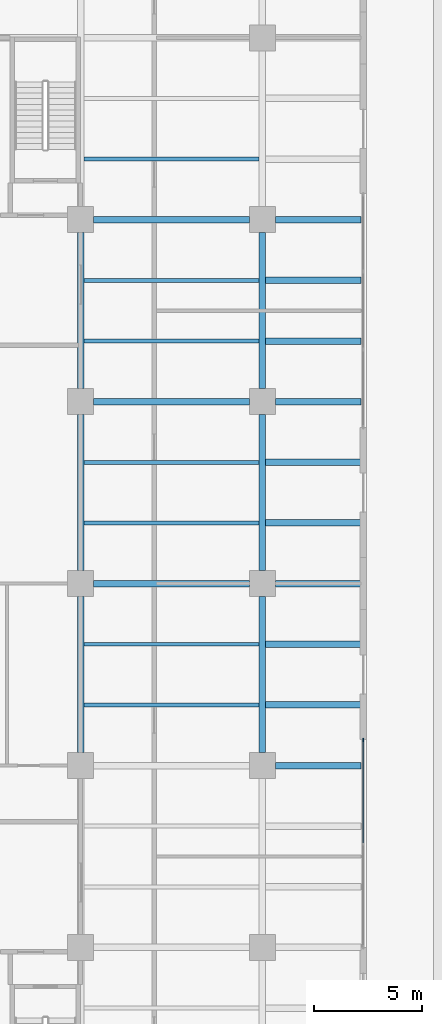
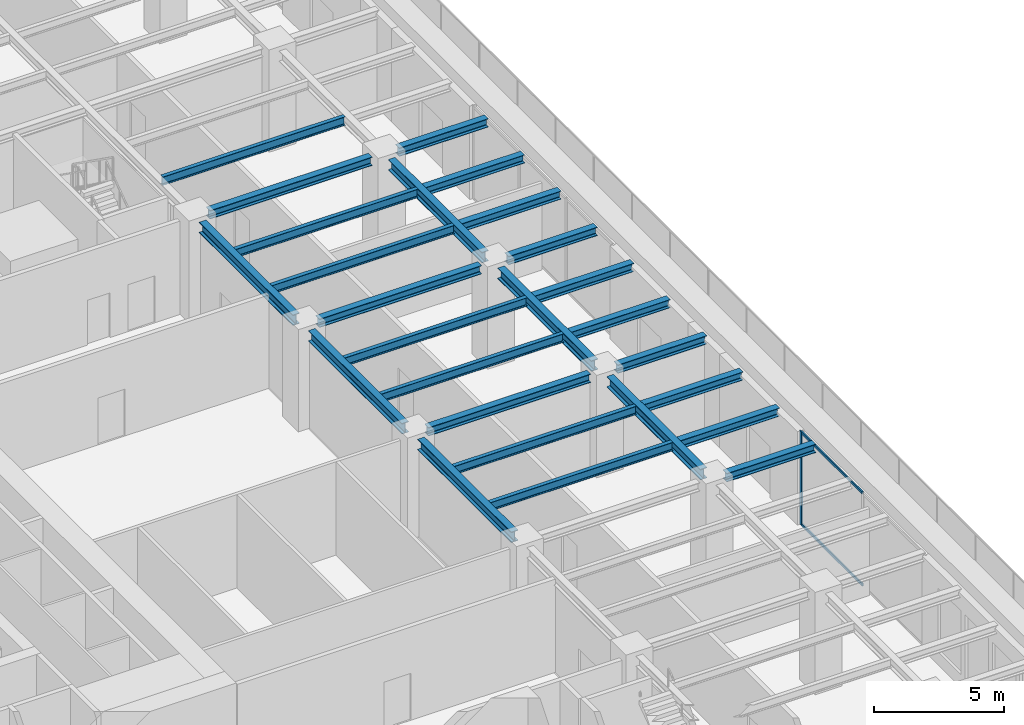
# One storey, part 8 of 32: 26 beams, 3 members, 1 element without a shape of its own.
"""IFC4 building model written with IfcOpenShell, lengths in metres."""

from ifc_helpers import new_model, si_unit, direction, frame, origin, origin_2d, place, context, subcontext, project, spatial, rectangle, i_section, extrude, material, material_profile, profile_set, type_object, element, aggregate, save


model = new_model("IFC4")

# Units and contexts
model_context = context("Model", 3, precision=1e-05, world=origin(), true_north=direction((0.0, 1.0)))
body_context = subcontext(model_context, "Body", "Model", "MODEL_VIEW")
ifc_project = project(units=[si_unit("LENGTHUNIT", "METRE"), si_unit("AREAUNIT", "SQUARE_METRE"), si_unit("VOLUMEUNIT", "CUBIC_METRE"), si_unit("PLANEANGLEUNIT", "RADIAN"), si_unit("MASSUNIT", "GRAM", prefix="KILO")], contexts=[model_context])

# Site, building, storey
site_placement = place(None, origin())
site = spatial("IfcSite", under=ifc_project, at=site_placement, CompositionType="ELEMENT")
building_placement = place(site_placement, origin())
building = spatial("IfcBuilding", under=site, at=building_placement, Name="Khepri Terraces", CompositionType="ELEMENT")
storey_placement = place(building_placement, frame((0.0, 0.0, 12.0)))
storey = spatial("IfcBuildingStorey", under=building, at=storey_placement, Name="L02", CompositionType="ELEMENT", Elevation=12.0)

# Curtain wall, members
ifc_material_1 = material(Name="Anodised aluminium bronze curtain wall", Category="aluminium")
curtain_wall_type = type_object("IfcCurtainWallType", Name="CW-SYS2-PODIUM", PredefinedType="NOTDEFINED", material=ifc_material_1)
curtain_wall_placement = place(storey_placement, origin())
curtain_wall = element("IfcCurtainWall", 1, at=curtain_wall_placement, inside=storey, type_object=curtain_wall_type, Name="Curtain wall CW2 L02 E", PredefinedType="NOTDEFINED")
ifc_material_2 = material(Name="Anodised aluminium bronze", Category="aluminium")
ifc_material_profile_1 = material_profile(ifc_material_2, rectangle(XDim=0.06005859375, YDim=0.159912109375, at=origin_2d()), Name="Anodised aluminium bronze", Category="aluminium")
ifc_profile_set_1 = profile_set([ifc_material_profile_1], Name="Anodised aluminium bronze")
member_type_1 = type_object("IfcMemberType", Name="CW-MULLION-60x160", PredefinedType="MULLION", material=ifc_profile_set_1)
member_1_placement = place(storey_placement, frame((38.25, -7.22998046875, 0.0), z_axis=(0.0, 0.0, 1.0), x_axis=(-1.0, 0.0, 0.0)))
member_1 = element("IfcMember", 2, at=member_1_placement, type_object=member_type_1, Name="CW2 mullion 3", PredefinedType="MULLION", context=body_context, shape_type="SweptSolid", body=[
    extrude(rectangle(XDim=0.06005859375, YDim=0.159912109375, at=origin_2d()), origin(), (0.0, 0.0, 1.0), 4.3798828125),
])
ifc_material_profile_2 = material_profile(ifc_material_2, rectangle(XDim=0.06005859375, YDim=0.1201171875, at=origin_2d()), Name="Anodised aluminium bronze", Category="aluminium")
ifc_profile_set_2 = profile_set([ifc_material_profile_2], Name="Anodised aluminium bronze")
member_type_2 = type_object("IfcMemberType", Name="CW-TRANSOM-60x120", PredefinedType="USERDEFINED", material=ifc_profile_set_2)
member_2_placement = place(storey_placement, frame((38.25, -11.969970703125, 0.030029296875), z_axis=(0.0, 1.0, 0.0), x_axis=(-1.0, 0.0, 0.0)))
member_2 = element("IfcMember", 3, at=member_2_placement, type_object=member_type_2, Name="CW2 transom 2.1", ObjectType="TRANSOM", PredefinedType="USERDEFINED", context=body_context, shape_type="SweptSolid", body=[
    extrude(rectangle(XDim=0.06005859375, YDim=0.1201171875, at=origin_2d()), origin(), (0.0, 0.0, 1.0), 4.7099609375),
])
member_3_placement = place(storey_placement, frame((38.25, -11.969970703125, 4.35009765625), z_axis=(0.0, 1.0, 0.0), x_axis=(-1.0, 0.0, 0.0)))
member_3 = element("IfcMember", 4, at=member_3_placement, type_object=member_type_2, Name="CW2 transom 2.2", ObjectType="TRANSOM", PredefinedType="USERDEFINED", context=body_context, shape_type="SweptSolid", body=[
    extrude(rectangle(XDim=0.06005859375, YDim=0.1201171875, at=origin_2d()), origin(), (0.0, 0.0, 1.0), 4.7099609375),
])
aggregate(curtain_wall, [member_1, member_2, member_3])

# Beams
ifc_material_3 = material(Name="Steel S355", Category="steel")
ifc_material_profile_3 = material_profile(ifc_material_3, i_section(OverallWidth=0.300048828125, OverallDepth=0.389892578125, WebThickness=0.010986328125, FlangeThickness=0.01904296875, FilletRadius=0.027099609375, at=origin_2d()), Name="Steel S355", Category="steel")
ifc_profile_set_3 = profile_set([ifc_material_profile_3], Name="Steel S355")
beam_type_1 = type_object("IfcBeamType", Name="Podium cantilever joist L03 HEA 400", PredefinedType="JOIST", material=ifc_profile_set_3)
for number, where, z_axis, x_axis, name in (
    (5, (33.75, -5.60009765625, 4.405029296875), (1.0, 0.0, 0.0), (0.0, 1.0, 0.0), "Podium cantilever joist L03 076"),
    (6, (33.75, -2.800048828125, 4.405029296875), (1.0, 0.0, 0.0), (0.0, 1.0, 0.0), "Podium cantilever joist L03 080"),
    (7, (33.75, 2.800048828125, 4.405029296875), (1.0, 0.0, 0.0), (0.0, 1.0, 0.0), "Podium cantilever joist L03 088"),
    (8, (33.75, 5.60009765625, 4.405029296875), (1.0, 0.0, 0.0), (0.0, 1.0, 0.0), "Podium cantilever joist L03 092"),
    (9, (33.75, 11.199951171875, 4.405029296875), (1.0, 0.0, 0.0), (0.0, 1.0, 0.0), "Podium cantilever joist L03 100"),
    (10, (33.75, 14.0, 4.405029296875), (1.0, 0.0, 0.0), (0.0, 1.0, 0.0), "Podium cantilever joist L03 104"),
):
    element("IfcBeam", number, at=place(storey_placement, frame(where, z_axis=z_axis, x_axis=x_axis)), inside=storey, type_object=beam_type_1, Name=name, PredefinedType="JOIST", context=body_context, shape_type="SweptSolid", body=[
        extrude(i_section(OverallWidth=0.300048828125, OverallDepth=0.389892578125, WebThickness=0.010986328125, FlangeThickness=0.01904296875, FilletRadius=0.027099609375, at=origin_2d()), origin(), (0.0, 0.0, 1.0), 4.39990234375),
    ])
ifc_material_profile_4 = material_profile(ifc_material_3, i_section(OverallWidth=0.300048828125, OverallDepth=0.5, WebThickness=0.014404296875, FlangeThickness=0.028076171875, FilletRadius=0.027099609375, at=origin_2d()), Name="Steel S355", Category="steel")
ifc_profile_set_4 = profile_set([ifc_material_profile_4], Name="Steel S355")
beam_type_2 = type_object("IfcBeamType", Name="Podium girder L03 HEB 500", PredefinedType="BEAM", material=ifc_profile_set_4)
for number, where, z_axis, x_axis, name in (
    (11, (33.60009765625, -7.800048828125, 4.35009765625), (0.0, 1.0, 0.0), (-1.0, 0.0, 0.0), "Podium girder L03 051"),
    (12, (33.60009765625, 0.60009765625, 4.35009765625), (0.0, 1.0, 0.0), (-1.0, 0.0, 0.0), "Podium girder L03 052"),
    (13, (33.60009765625, 9.0, 4.35009765625), (0.0, 1.0, 0.0), (-1.0, 0.0, 0.0), "Podium girder L03 053"),
):
    element("IfcBeam", number, at=place(storey_placement, frame(where, z_axis=z_axis, x_axis=x_axis)), inside=storey, type_object=beam_type_2, Name=name, PredefinedType="BEAM", context=body_context, shape_type="SweptSolid", body=[
        extrude(i_section(OverallWidth=0.300048828125, OverallDepth=0.5, WebThickness=0.014404296875, FlangeThickness=0.028076171875, FilletRadius=0.027099609375, at=origin_2d()), origin(), (0.0, 0.0, 1.0), 7.199951171875),
    ])
ifc_material_profile_5 = material_profile(ifc_material_3, i_section(OverallWidth=0.300048828125, OverallDepth=0.39990234375, WebThickness=0.013427734375, FlangeThickness=0.02392578125, FilletRadius=0.027099609375, at=origin_2d()), Name="Steel S355", Category="steel")
ifc_profile_set_5 = profile_set([ifc_material_profile_5], Name="Steel S355")
beam_type_3 = type_object("IfcBeamType", Name="Podium girder L03 grid line HEB 400", PredefinedType="BEAM", material=ifc_profile_set_5)
beam_1_placement = place(storey_placement, frame((34.199951171875, -8.39990234375, 4.39990234375), z_axis=(1.0, 0.0, 0.0), x_axis=(0.0, 1.0, 0.0)))
element("IfcBeam", 14, at=beam_1_placement, inside=storey, type_object=beam_type_3, Name="Podium grid-line girder L03 072", PredefinedType="BEAM", context=body_context, shape_type="SweptSolid", body=[
    extrude(i_section(OverallWidth=0.300048828125, OverallDepth=0.39990234375, WebThickness=0.013427734375, FlangeThickness=0.02392578125, FilletRadius=0.027099609375, at=origin_2d()), origin(), (0.0, 0.0, 1.0), 3.949951171875),
])
beam_2_placement = place(storey_placement, frame((25.800048828125, 0.0, 4.39990234375), z_axis=(1.0, 0.0, 0.0), x_axis=(0.0, 1.0, 0.0)))
element("IfcBeam", 15, at=beam_2_placement, inside=storey, type_object=beam_type_3, Name="Podium grid-line girder L03 083", PredefinedType="BEAM", context=body_context, shape_type="SweptSolid", body=[
    extrude(i_section(OverallWidth=0.300048828125, OverallDepth=0.39990234375, WebThickness=0.013427734375, FlangeThickness=0.02392578125, FilletRadius=0.027099609375, at=origin_2d()), origin(), (0.0, 0.0, 1.0), 7.199951171875),
])
beam_3_placement = place(storey_placement, frame((34.199951171875, 0.0, 4.39990234375), z_axis=(1.0, 0.0, 0.0), x_axis=(0.0, 1.0, 0.0)))
element("IfcBeam", 16, at=beam_3_placement, inside=storey, type_object=beam_type_3, Name="Podium grid-line girder L03 084", PredefinedType="BEAM", context=body_context, shape_type="SweptSolid", body=[
    extrude(i_section(OverallWidth=0.300048828125, OverallDepth=0.39990234375, WebThickness=0.013427734375, FlangeThickness=0.02392578125, FilletRadius=0.027099609375, at=origin_2d()), origin(), (0.0, 0.0, 1.0), 3.949951171875),
])
beam_4_placement = place(storey_placement, frame((25.800048828125, 8.39990234375, 4.39990234375), z_axis=(1.0, 0.0, 0.0), x_axis=(0.0, 1.0, 0.0)))
element("IfcBeam", 17, at=beam_4_placement, inside=storey, type_object=beam_type_3, Name="Podium grid-line girder L03 095", PredefinedType="BEAM", context=body_context, shape_type="SweptSolid", body=[
    extrude(i_section(OverallWidth=0.300048828125, OverallDepth=0.39990234375, WebThickness=0.013427734375, FlangeThickness=0.02392578125, FilletRadius=0.027099609375, at=origin_2d()), origin(), (0.0, 0.0, 1.0), 7.199951171875),
])
beam_5_placement = place(storey_placement, frame((34.199951171875, 8.39990234375, 4.39990234375), z_axis=(1.0, 0.0, 0.0), x_axis=(0.0, 1.0, 0.0)))
element("IfcBeam", 18, at=beam_5_placement, inside=storey, type_object=beam_type_3, Name="Podium grid-line girder L03 096", PredefinedType="BEAM", context=body_context, shape_type="SweptSolid", body=[
    extrude(i_section(OverallWidth=0.300048828125, OverallDepth=0.39990234375, WebThickness=0.013427734375, FlangeThickness=0.02392578125, FilletRadius=0.027099609375, at=origin_2d()), origin(), (0.0, 0.0, 1.0), 3.949951171875),
])
beam_6_placement = place(storey_placement, frame((25.800048828125, 16.800048828125, 4.39990234375), z_axis=(1.0, 0.0, 0.0), x_axis=(0.0, 1.0, 0.0)))
element("IfcBeam", 19, at=beam_6_placement, inside=storey, type_object=beam_type_3, Name="Podium grid-line girder L03 107", PredefinedType="BEAM", context=body_context, shape_type="SweptSolid", body=[
    extrude(i_section(OverallWidth=0.300048828125, OverallDepth=0.39990234375, WebThickness=0.013427734375, FlangeThickness=0.02392578125, FilletRadius=0.027099609375, at=origin_2d()), origin(), (0.0, 0.0, 1.0), 7.199951171875),
])
beam_7_placement = place(storey_placement, frame((34.199951171875, 16.800048828125, 4.39990234375), z_axis=(1.0, 0.0, 0.0), x_axis=(0.0, 1.0, 0.0)))
element("IfcBeam", 20, at=beam_7_placement, inside=storey, type_object=beam_type_3, Name="Podium grid-line girder L03 108", PredefinedType="BEAM", context=body_context, shape_type="SweptSolid", body=[
    extrude(i_section(OverallWidth=0.300048828125, OverallDepth=0.39990234375, WebThickness=0.013427734375, FlangeThickness=0.02392578125, FilletRadius=0.027099609375, at=origin_2d()), origin(), (0.0, 0.0, 1.0), 3.949951171875),
])
ifc_material_profile_6 = material_profile(ifc_material_3, i_section(OverallWidth=0.179931640625, OverallDepth=0.39990234375, WebThickness=0.008544921875, FlangeThickness=0.013427734375, FilletRadius=0.02099609375, at=origin_2d()), Name="Steel S355", Category="steel")
ifc_profile_set_6 = profile_set([ifc_material_profile_6], Name="Steel S355")
beam_type_4 = type_object("IfcBeamType", Name="Podium joist L03 IPE 400", PredefinedType="JOIST", material=ifc_profile_set_6)
for number, where, z_axis, x_axis, name in (
    (21, (25.35009765625, -5.60009765625, 4.39990234375), (1.0, 0.0, 0.0), (0.0, 1.0, 0.0), "Podium joist L03 075"),
    (22, (25.35009765625, -2.800048828125, 4.39990234375), (1.0, 0.0, 0.0), (0.0, 1.0, 0.0), "Podium joist L03 079"),
    (23, (25.35009765625, 2.800048828125, 4.39990234375), (1.0, 0.0, 0.0), (0.0, 1.0, 0.0), "Podium joist L03 087"),
    (24, (25.35009765625, 5.60009765625, 4.39990234375), (1.0, 0.0, 0.0), (0.0, 1.0, 0.0), "Podium joist L03 091"),
    (25, (25.35009765625, 11.199951171875, 4.39990234375), (1.0, 0.0, 0.0), (0.0, 1.0, 0.0), "Podium joist L03 099"),
    (26, (25.35009765625, 14.0, 4.39990234375), (1.0, 0.0, 0.0), (0.0, 1.0, 0.0), "Podium joist L03 103"),
    (27, (25.35009765625, 19.60009765625, 4.39990234375), (1.0, 0.0, 0.0), (0.0, 1.0, 0.0), "Podium joist L03 111"),
):
    element("IfcBeam", number, at=place(storey_placement, frame(where, z_axis=z_axis, x_axis=x_axis)), inside=storey, type_object=beam_type_4, Name=name, PredefinedType="JOIST", context=body_context, shape_type="SweptSolid", body=[
        extrude(i_section(OverallWidth=0.179931640625, OverallDepth=0.39990234375, WebThickness=0.008544921875, FlangeThickness=0.013427734375, FilletRadius=0.02099609375, at=origin_2d()), origin(), (0.0, 0.0, 1.0), 8.099853515625),
    ])
ifc_material_profile_7 = material_profile(ifc_material_3, i_section(OverallWidth=0.300048828125, OverallDepth=0.5, WebThickness=0.014404296875, FlangeThickness=0.028076171875, FilletRadius=0.027099609375, at=origin_2d()), Name="Steel S355", Category="steel")
ifc_profile_set_7 = profile_set([ifc_material_profile_7], Name="Steel S355")
beam_type_5 = type_object("IfcBeamType", Name="Tower ring beam HEB 500", PredefinedType="BEAM", material=ifc_profile_set_7)
for number, where, z_axis, x_axis, name in (
    (28, (25.199951171875, -7.800048828125, 4.35009765625), (0.0, 1.0, 0.0), (-1.0, 0.0, 0.0), "Ring beam L03 042"),
    (29, (25.199951171875, 0.60009765625, 4.35009765625), (0.0, 1.0, 0.0), (-1.0, 0.0, 0.0), "Ring beam L03 043"),
    (30, (25.199951171875, 9.0, 4.35009765625), (0.0, 1.0, 0.0), (-1.0, 0.0, 0.0), "Ring beam L03 044"),
):
    element("IfcBeam", number, at=place(storey_placement, frame(where, z_axis=z_axis, x_axis=x_axis)), inside=storey, type_object=beam_type_5, Name=name, PredefinedType="BEAM", context=body_context, shape_type="SweptSolid", body=[
        extrude(i_section(OverallWidth=0.300048828125, OverallDepth=0.5, WebThickness=0.014404296875, FlangeThickness=0.028076171875, FilletRadius=0.027099609375, at=origin_2d()), origin(), (0.0, 0.0, 1.0), 7.199951171875),
    ])

save(model, "model.ifc")
